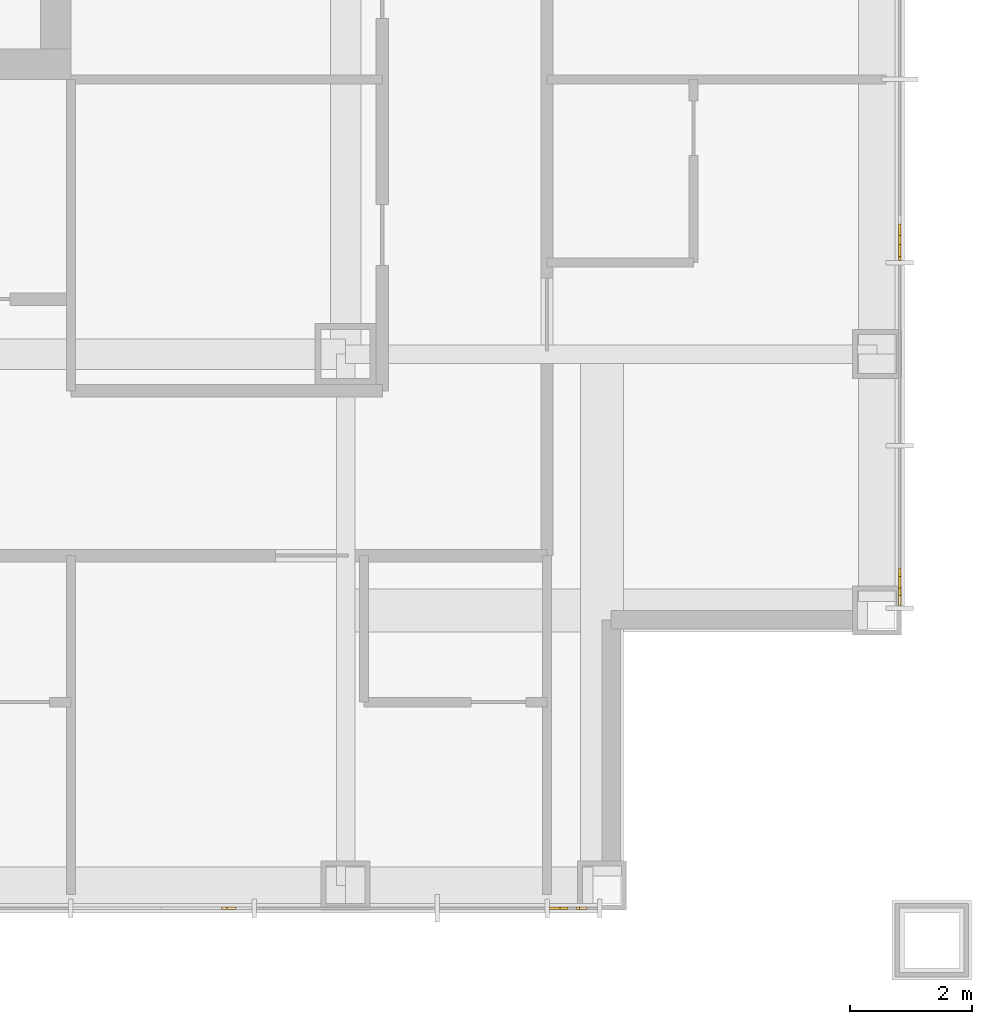
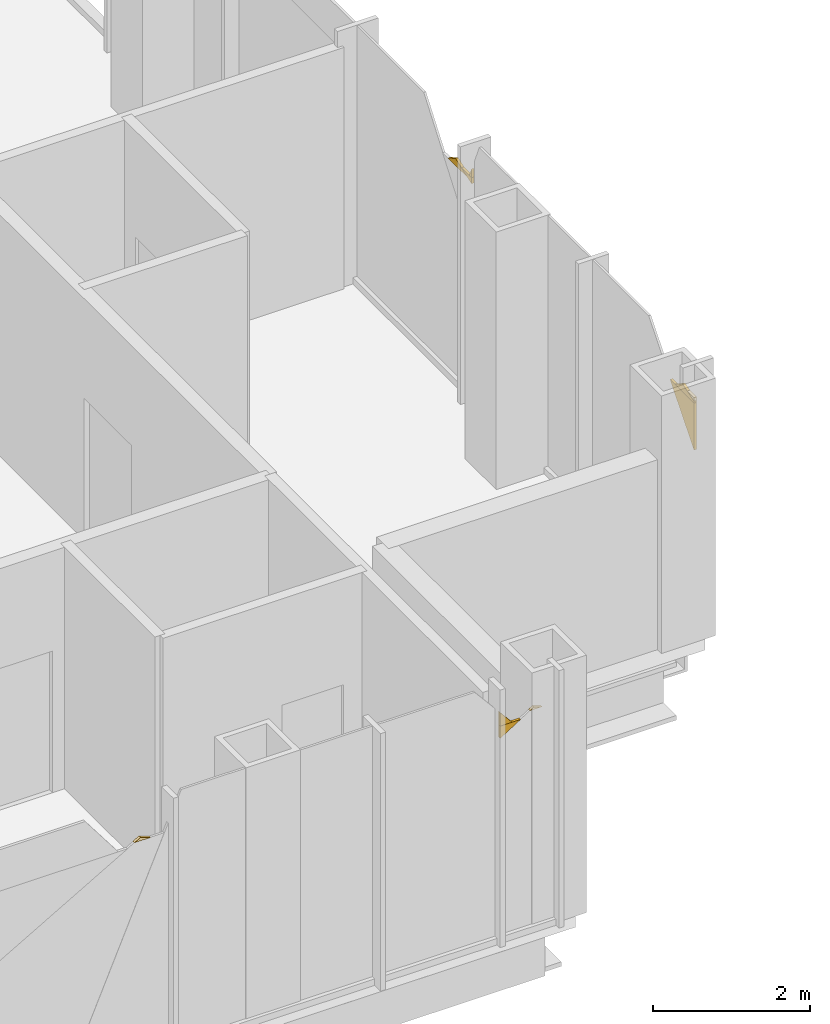
# One storey, part 17 of 25: 10 coverings.
"""IFC4 building model written with IfcOpenShell, lengths in metres."""

import ifcopenshell
import ifcopenshell.guid

model = None  # the IFC model being written
_history = None  # IfcOwnerHistory: only IFC2X3 demands one
_inside = {}  # id of a spatial element -> (the spatial element, [elements in it])
_under = {}  # id of a project, library or spatial element -> (it, [spatial elements below it])
_declared = {}  # id of a project -> (the project, [libraries it declares])
_typed = {}  # id of a type object -> (the type object, [elements of that type])
_made_of = {}  # id of a material, layer set ... -> (it, [elements and type objects made of it])


def new_model(schema):
    """Start an empty IFC model of exactly this schema.

    Asked for "IFC4X3", IfcOpenShell would pick the latest addendum, in which some entities
    have other attributes; the version numbers below select the first issue.
    IFC2X3 requires an IfcOwnerHistory on every rooted entity: one is made here for all.
    """
    global model, _history
    if schema == "IFC4X3":
        model = ifcopenshell.file(schema_version=(4, 3, 0, 0))
    else:
        model = ifcopenshell.file(schema=schema)
    _inside.clear()
    _under.clear()
    _declared.clear()
    _typed.clear()
    _made_of.clear()
    _history = None
    if model.schema == "IFC2X3":
        org = make("IfcOrganization", Name="unknown")
        user = make(
            "IfcPersonAndOrganization",
            ThePerson=make("IfcPerson", FamilyName="unknown"),
            TheOrganization=org,
        )
        app = make(
            "IfcApplication",
            ApplicationDeveloper=org,
            Version="unknown",
            ApplicationFullName="unknown",
            ApplicationIdentifier="unknown",
        )
        _history = make(
            "IfcOwnerHistory",
            OwningUser=user,
            OwningApplication=app,
            ChangeAction="ADDED",
            CreationDate=0,
        )
    return model


def make(cls, **values):
    """One entity of the class cls with the attributes given. An attribute that is None is left unset."""
    return model.create_entity(
        cls, **{name: value for name, value in values.items() if value is not None}
    )


def rooted(cls, **values):
    """An entity with a GlobalId (a new one), such as an element, a storey or a relation."""
    return make(cls, GlobalId=ifcopenshell.guid.new(), OwnerHistory=_history, **values)


def si_unit(unit_type, name, prefix=None):
    """IfcSIUnit, for example si_unit("LENGTHUNIT", "METRE", prefix="MILLI")."""
    return make("IfcSIUnit", UnitType=unit_type, Prefix=prefix, Name=name)


def assignment(units):
    """IfcUnitAssignment: the units of a project."""
    return None if units is None else make("IfcUnitAssignment", Units=units)


def point(xyz):
    """IfcCartesianPoint."""
    return None if xyz is None else make("IfcCartesianPoint", Coordinates=xyz)


def direction(xyz):
    """IfcDirection."""
    return None if xyz is None else make("IfcDirection", DirectionRatios=xyz)


def frame(location, z_axis=None, x_axis=None):
    """IfcAxis2Placement3D, a coordinate frame: its origin and axes. An axis left out is left unset."""
    return make(
        "IfcAxis2Placement3D",
        Location=point(location),
        Axis=direction(z_axis),
        RefDirection=direction(x_axis),
    )


def origin():
    """The frame at (0, 0, 0) with its axes left unset."""
    return frame((0.0, 0.0, 0.0))


def place(relative_to, where):
    """IfcLocalPlacement: puts the frame where relative to a parent placement (None: the world)."""
    return make(
        "IfcLocalPlacement", PlacementRelTo=relative_to, RelativePlacement=where
    )


def context(
    kind, dimensions, precision=None, world=None, true_north=None, identifier=None
):
    """IfcGeometricRepresentationContext, for example the 3D "Model" context."""
    return make(
        "IfcGeometricRepresentationContext",
        ContextIdentifier=identifier,
        ContextType=kind,
        CoordinateSpaceDimension=dimensions,
        Precision=precision,
        WorldCoordinateSystem=world,
        TrueNorth=true_north,
    )


def subcontext(parent, identifier, kind, view, scale=None):
    """IfcGeometricRepresentationSubContext, for example "Body" below "Model"."""
    return make(
        "IfcGeometricRepresentationSubContext",
        ContextIdentifier=identifier,
        ContextType=kind,
        ParentContext=parent,
        TargetScale=scale,
        TargetView=view,
    )


def project(units=None, contexts=None):
    """IfcProject with its units and contexts."""
    return rooted(
        "IfcProject",
        Name="project",
        RepresentationContexts=contexts,
        UnitsInContext=assignment(units),
    )


def spatial(cls, under=None, at=None, **own):
    """A site, building, storey or space (cls), placed at a placement, below another one or the project."""
    s = rooted(cls, ObjectPlacement=at, **own)
    if under is not None:
        _under.setdefault(under.id(), (under, []))[1].append(s)
    return s


def polyline(points):
    """IfcPolyline through the points."""
    return make("IfcPolyline", Points=[point(p) for p in points])


def outline(outer, holes=None, kind="AREA"):
    """IfcArbitraryClosedProfileDef: a profile drawn as a closed curve; with holes, ...WithVoids."""
    if holes is None:
        return make("IfcArbitraryClosedProfileDef", ProfileType=kind, OuterCurve=outer)
    return make(
        "IfcArbitraryProfileDefWithVoids",
        ProfileType=kind,
        OuterCurve=outer,
        InnerCurves=holes,
    )


def extrude(swept, where, along, depth):
    """IfcExtrudedAreaSolid: the profile swept, set in the frame where, extruded along a direction by depth."""
    return make(
        "IfcExtrudedAreaSolid",
        SweptArea=swept,
        Position=where,
        ExtrudedDirection=direction(along),
        Depth=depth,
    )


def shape(context_of_items, identifier, shape_type, items):
    """IfcShapeRepresentation: the items that make up one representation, for example the "Body"."""
    return make(
        "IfcShapeRepresentation",
        ContextOfItems=context_of_items,
        RepresentationIdentifier=identifier,
        RepresentationType=shape_type,
        Items=items,
    )


def material(Name=None, Category=None):
    """IfcMaterial."""
    return make("IfcMaterial", Name=Name, Category=Category)


def layer(
    of_material, thickness, ventilated=None, Name=None, Category=None, Priority=None
):
    """IfcMaterialLayer: one layer of a wall or slab, of a material (None: an air gap)."""
    return make(
        "IfcMaterialLayer",
        Material=of_material,
        LayerThickness=thickness,
        IsVentilated=ventilated,
        Name=Name,
        Category=Category,
        Priority=Priority,
    )


def layer_set(layers, Name=None):
    """IfcMaterialLayerSet."""
    return make("IfcMaterialLayerSet", MaterialLayers=layers, LayerSetName=Name)


def made_of(thing, what):
    """Note that an element or type object is made of a material, layer set ...; save() writes the relation."""
    if what is not None:
        _made_of.setdefault(what.id(), (what, []))[1].append(thing)
    return thing


def type_object(cls, material=None, **own):
    """A type object (cls), such as IfcWallType, which elements share."""
    return made_of(rooted(cls, **own), material)


def element(
    cls,
    number,
    at=None,
    inside=None,
    cuts=None,
    type_object=None,
    material=None,
    context=None,
    identifier="Body",
    shape_type=None,
    held_by="IfcProductDefinitionShape",
    body=None,
    shapes=None,
    **own,
):
    """One element of the class cls, such as IfcWall. Its Tag is "e" and its number.

    at: its placement. inside: the storey or other place that contains it. cuts: it is an
    opening in that element (IfcRelVoidsElement). A single representation is given by context,
    identifier, shape_type and body (its items); several are given by shapes. held_by: the class
    of the entity that holds the representations. save() writes the other relations.
    """
    e = rooted(cls, Tag="e%d" % number, ObjectPlacement=at, **own)
    if body is not None:
        shapes = [shape(context, identifier, shape_type, body)]
    if shapes is not None:
        e.Representation = make(held_by, Representations=shapes)
    if inside is not None:
        _inside.setdefault(inside.id(), (inside, []))[1].append(e)
    if cuts is not None:
        rooted(
            "IfcRelVoidsElement", RelatingBuildingElement=cuts, RelatedOpeningElement=e
        )
    if type_object is not None:
        _typed.setdefault(type_object.id(), (type_object, []))[1].append(e)
    return made_of(e, material)


def aggregate(whole, parts):
    """IfcRelAggregates: a whole, such as a stair, and the parts it consists of."""
    return rooted("IfcRelAggregates", RelatingObject=whole, RelatedObjects=parts)


def save(model, path):
    """Write the relations noted so far, then the file.

    IfcRelAggregates (storeys below a building ...), IfcRelContainedInSpatialStructure (elements
    in a storey), IfcRelDefinesByType, IfcRelAssociatesMaterial and IfcRelDeclares: one each for
    every whole, place, type object, material and project.
    """
    for whole, parts in _under.values():
        aggregate(whole, parts)
    for where, things in _inside.values():
        rooted(
            "IfcRelContainedInSpatialStructure",
            RelatedElements=things,
            RelatingStructure=where,
        )
    for kind, things in _typed.values():
        rooted("IfcRelDefinesByType", RelatedObjects=things, RelatingType=kind)
    for what, things in _made_of.values():
        rooted("IfcRelAssociatesMaterial", RelatedObjects=things, RelatingMaterial=what)
    for by, libraries in _declared.values():
        rooted("IfcRelDeclares", RelatingContext=by, RelatedDefinitions=libraries)
    model.write(path)


model = new_model("IFC4")

# Units and contexts
model_context = context("Model", 3, precision=1e-05, world=origin(), true_north=direction((0.0, 1.0)))
body_context = subcontext(model_context, "Body", "Model", "MODEL_VIEW")
ifc_project = project(units=[si_unit("LENGTHUNIT", "METRE"), si_unit("AREAUNIT", "SQUARE_METRE"), si_unit("VOLUMEUNIT", "CUBIC_METRE"), si_unit("PLANEANGLEUNIT", "RADIAN"), si_unit("MASSUNIT", "GRAM", prefix="KILO")], contexts=[model_context])

# Site, building, storey
site_placement = place(None, origin())
site = spatial("IfcSite", under=ifc_project, at=site_placement, CompositionType="ELEMENT")
building_placement = place(site_placement, origin())
building = spatial("IfcBuilding", under=site, at=building_placement, Name="Malebo Sky Hospital", CompositionType="ELEMENT")
storey_placement = place(building_placement, frame((0.0, 0.0, 241.0)))
storey = spatial("IfcBuildingStorey", under=building, at=storey_placement, Name="L58", CompositionType="ELEMENT", Elevation=241.0)

# Coverings
ifc_material = material(Name="Anodised aluminium, natural silver insulated infill panel", Category="aluminium")
ifc_layer = layer(ifc_material, 0.0400390625)
ifc_layer_set = layer_set([ifc_layer], Name="BRACE INFILL PANEL 40")
covering_type = type_object("IfcCoveringType", Name="BRACE INFILL PANEL 40", PredefinedType="CLADDING", material=ifc_layer_set)
covering_1_placement = place(storey_placement, frame((76.989013671875, 39.425048828125, 3.14404296875), z_axis=(0.0, 0.0, 1.0), x_axis=(-1.0, 0.0, 0.0)))
element("IfcCovering", 1, at=covering_1_placement, inside=storey, type_object=covering_type, Name="Brace infill panel 1.1", PredefinedType="CLADDING", context=body_context, shape_type="SweptSolid", body=[
    extrude(outline(polyline([(0.151611328125, 0.0), (0.151611328125, 0.192138671875), (-0.1513671875, 0.192138671875), (0.151611328125, 0.0)])), frame((0.0, 0.02001953125, 0.0), z_axis=(0.0, -1.0, 0.0), x_axis=(1.0, 0.0, 0.0)), (0.0, 0.0, 1.0), 0.0400390625),
])
covering_2_placement = place(storey_placement, frame((76.925537109375, 39.425048828125, 3.33642578125), z_axis=(0.0, 0.0, 1.0), x_axis=(-1.0, 0.0, 0.0)))
element("IfcCovering", 2, at=covering_2_placement, inside=storey, type_object=covering_type, Name="Brace infill panel 1.2", PredefinedType="CLADDING", context=body_context, shape_type="SweptSolid", body=[
    extrude(outline(polyline([(-0.087890625, 0.0), (0.088134765625, 0.0), (0.088134765625, 0.209716796875), (-0.087890625, 0.0)])), frame((0.0, 0.02001953125, 0.0), z_axis=(0.0, -1.0, 0.0), x_axis=(1.0, 0.0, 0.0)), (0.0, 0.0, 1.0), 0.0400390625),
])
covering_3_placement = place(storey_placement, frame((77.363037109375, 39.425048828125, 3.42138671875), z_axis=(0.0, 0.0, 1.0), x_axis=(-1.0, 0.0, 0.0)))
element("IfcCovering", 3, at=covering_3_placement, inside=storey, type_object=covering_type, Name="Brace infill panel 1.3", PredefinedType="CLADDING", context=body_context, shape_type="SweptSolid", body=[
    extrude(outline(polyline([(-0.088623046875, 0.0), (0.088623046875, 0.0), (0.029052734375, 0.037841796875), (-0.088623046875, 0.0)])), frame((0.0, 0.02001953125, 0.0), z_axis=(0.0, -1.0, 0.0), x_axis=(1.0, 0.0, 0.0)), (0.0, 0.0, 1.0), 0.0400390625),
])
covering_4_placement = place(storey_placement, frame((71.583740234375, 39.425048828125, 3.4052734375), z_axis=(0.0, 0.0, 1.0), x_axis=(-1.0, 0.0, 0.0)))
element("IfcCovering", 4, at=covering_4_placement, inside=storey, type_object=covering_type, Name="Brace infill panel 4.4", PredefinedType="CLADDING", context=body_context, shape_type="SweptSolid", body=[
    extrude(outline(polyline([(-0.119873046875, 0.0), (0.119873046875, 0.0), (0.027099609375, 0.053466796875), (-0.119873046875, 0.0)])), frame((0.0, 0.02001953125, 0.0), z_axis=(0.0, -1.0, 0.0), x_axis=(1.0, 0.0, 0.0)), (0.0, 0.0, 1.0), 0.0400390625),
])
covering_5_placement = place(storey_placement, frame((82.574951171875, 50.1669921875, 3.311279296875), z_axis=(0.0, 0.0, 1.0), x_axis=(0.0, -1.0, 0.0)))
element("IfcCovering", 5, at=covering_5_placement, inside=storey, type_object=covering_type, Name="Brace infill panel 11.2", PredefinedType="CLADDING", context=body_context, shape_type="SweptSolid", body=[
    extrude(outline(polyline([(0.12939453125, 0.0), (0.12939453125, 0.09423828125), (-0.12939453125, 0.09423828125), (0.12939453125, 0.0)])), frame((0.0, 0.02001953125, 0.0), z_axis=(0.0, -1.0, 0.0), x_axis=(1.0, 0.0, 0.0)), (0.0, 0.0, 1.0), 0.0400390625),
])
covering_6_placement = place(storey_placement, frame((82.574951171875, 50.38720703125, 3.34814453125), z_axis=(0.0, 0.0, 1.0), x_axis=(0.0, -1.0, 0.0)))
element("IfcCovering", 6, at=covering_6_placement, inside=storey, type_object=covering_type, Name="Brace infill panel 11.3", PredefinedType="CLADDING", context=body_context, shape_type="SweptSolid", body=[
    extrude(outline(polyline([(-0.24853515625, 0.0), (0.24853515625, 0.0), (-0.05615234375, 0.11083984375), (-0.24853515625, 0.0)])), frame((0.0, 0.02001953125, 0.0), z_axis=(0.0, -1.0, 0.0), x_axis=(1.0, 0.0, 0.0)), (0.0, 0.0, 1.0), 0.0400390625),
])
covering_7_placement = place(storey_placement, frame((82.574951171875, 50.06640625, 3.405517578125), z_axis=(0.0, 0.0, 1.0), x_axis=(0.0, -1.0, 0.0)))
element("IfcCovering", 7, at=covering_7_placement, inside=storey, type_object=covering_type, Name="Brace infill panel 11.4", PredefinedType="CLADDING", context=body_context, shape_type="SweptSolid", body=[
    extrude(outline(polyline([(-0.029052734375, 0.0), (0.029052734375, 0.0), (0.029052734375, 0.13525390625), (-0.029052734375, 0.0)])), frame((0.0, 0.02001953125, 0.0), z_axis=(0.0, -1.0, 0.0), x_axis=(1.0, 0.0, 0.0)), (0.0, 0.0, 1.0), 0.0400390625),
])
covering_8_placement = place(storey_placement, frame((82.574951171875, 44.6806640625, 2.609130859375), z_axis=(0.0, 0.0, 1.0), x_axis=(0.0, -1.0, 0.0)))
element("IfcCovering", 8, at=covering_8_placement, inside=storey, type_object=covering_type, Name="Brace infill panel 13.1", PredefinedType="CLADDING", context=body_context, shape_type="SweptSolid", body=[
    extrude(outline(polyline([(0.3056640625, 0.0), (0.3056640625, 0.72705078125), (-0.3056640625, 0.72705078125), (0.3056640625, 0.0)])), frame((0.0, 0.02001953125, 0.0), z_axis=(0.0, -1.0, 0.0), x_axis=(1.0, 0.0, 0.0)), (0.0, 0.0, 1.0), 0.0400390625),
])
covering_9_placement = place(storey_placement, frame((82.574951171875, 44.617431640625, 3.33642578125), z_axis=(0.0, 0.0, 1.0), x_axis=(0.0, -1.0, 0.0)))
element("IfcCovering", 9, at=covering_9_placement, inside=storey, type_object=covering_type, Name="Brace infill panel 13.2", PredefinedType="CLADDING", context=body_context, shape_type="SweptSolid", body=[
    extrude(outline(polyline([(-0.2421875, 0.0), (0.2421875, 0.0), (0.2421875, 0.029296875), (-0.048583984375, 0.122802734375), (-0.2421875, 0.0)])), frame((0.0, 0.02001953125, 0.0), z_axis=(0.0, -1.0, 0.0), x_axis=(1.0, 0.0, 0.0)), (0.0, 0.0, 1.0), 0.0400390625),
])
covering_10_placement = place(storey_placement, frame((82.574951171875, 44.461669921875, 3.36572265625), z_axis=(0.0, 0.0, 1.0), x_axis=(0.0, -1.0, 0.0)))
element("IfcCovering", 10, at=covering_10_placement, inside=storey, type_object=covering_type, Name="Brace infill panel 13.3", PredefinedType="CLADDING", context=body_context, shape_type="SweptSolid", body=[
    extrude(outline(polyline([(0.086669921875, 0.0), (0.086669921875, 0.0556640625), (-0.086669921875, 0.0556640625), (0.086669921875, 0.0)])), frame((0.0, 0.02001953125, 0.0), z_axis=(0.0, -1.0, 0.0), x_axis=(1.0, 0.0, 0.0)), (0.0, 0.0, 1.0), 0.0400390625),
])

save(model, "model.ifc")
